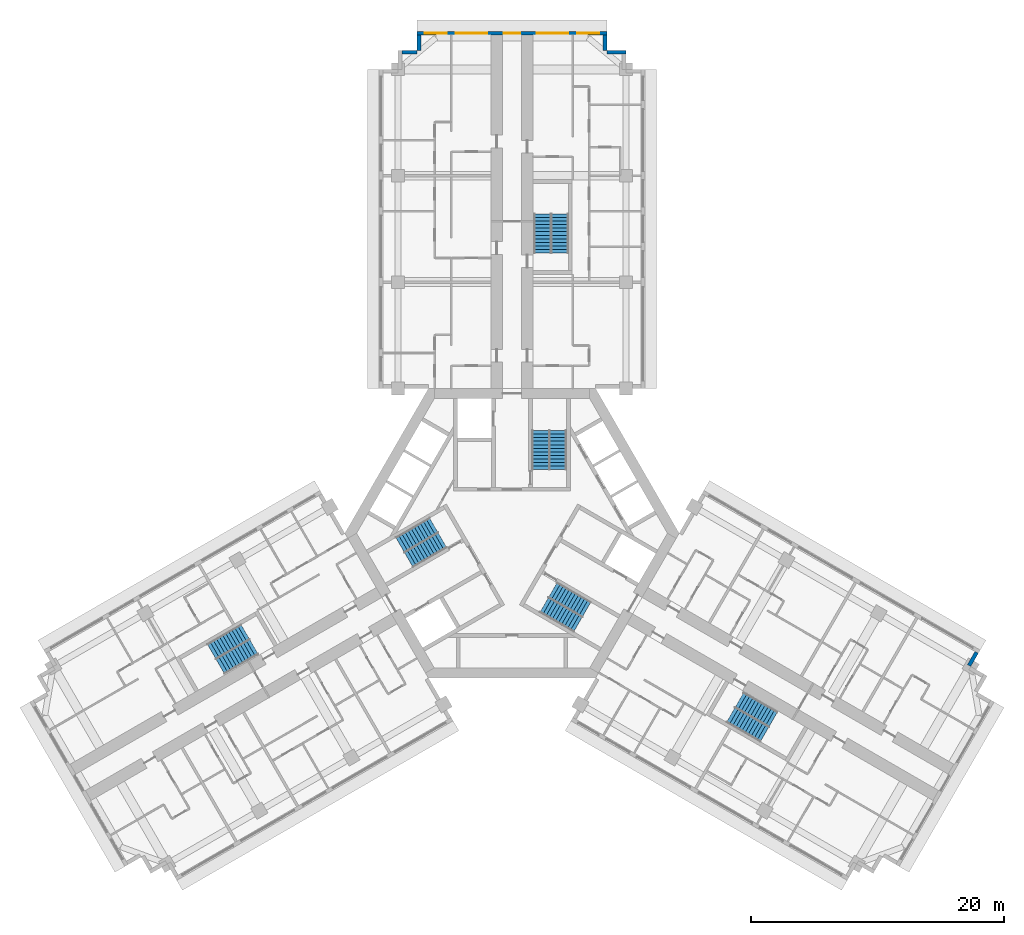
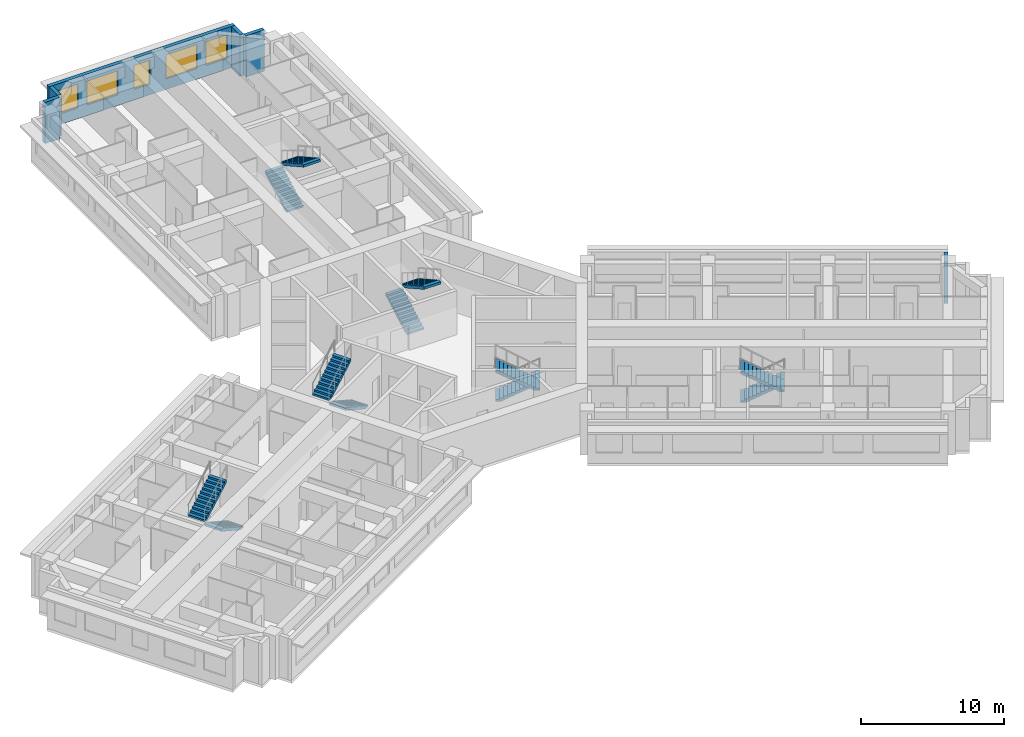
# One storey, part 11 of 12: 12 stair flights, 6 walls, 5 windows, 5 openings, 6 elements without a shape of their own.
"""IFC4 building model written with IfcOpenShell, lengths in metres."""

from ifc_helpers import new_model, si_unit, direction, frame, frame_2d, origin, place, context, subcontext, project, spatial, polyline, rectangle, outline, extrude, material, layer, layer_set, type_object, element, fill, aggregate, save


model = new_model("IFC4")

# Units and contexts
model_context = context("Model", 3, precision=1e-05, world=origin(), true_north=direction((0.0, 1.0)))
body_context = subcontext(model_context, "Body", "Model", "MODEL_VIEW")
ifc_project = project(units=[si_unit("LENGTHUNIT", "METRE"), si_unit("AREAUNIT", "SQUARE_METRE"), si_unit("VOLUMEUNIT", "CUBIC_METRE"), si_unit("PLANEANGLEUNIT", "RADIAN"), si_unit("MASSUNIT", "GRAM", prefix="KILO")], contexts=[model_context])

# Site, building, storey
site_placement = place(None, origin())
site = spatial("IfcSite", under=ifc_project, at=site_placement, CompositionType="ELEMENT")
building_placement = place(site_placement, origin())
building = spatial("IfcBuilding", under=site, at=building_placement, Name="Impinga Residences", CompositionType="ELEMENT")
storey_placement = place(building_placement, frame((0.0, 0.0, 166.0)))
storey = spatial("IfcBuildingStorey", under=building, at=storey_placement, Name="L41", CompositionType="ELEMENT", Elevation=166.0)

# Walls
ifc_material_1 = material(Name="Terracotta rainscreen on blockwork", Category="masonry")
ifc_layer = layer(ifc_material_1, 0.300048828125)
ifc_layer_set = layer_set([ifc_layer], Name="EW1 external wall, terracotta rainscreen on blockwork 300")
wall_type = type_object("IfcWallType", Name="EW1 external wall, terracotta rainscreen on blockwork 300", PredefinedType="SOLIDWALL", material=ifc_layer_set)
wall_1_placement = place(storey_placement, frame((-8.699951171875, 37.9814453125, 0.0), z_axis=(0.0, 0.0, 1.0), x_axis=(1.0, 0.0, 0.0)))
element("IfcWall", 1, at=wall_1_placement, inside=storey, type_object=wall_type, Name="External wall EW1 L41", PredefinedType="SOLIDWALL", context=body_context, shape_type="SweptSolid", body=[
    extrude(rectangle(XDim=1.199951171875, YDim=0.300048828125, at=frame_2d((0.60009765625, 0.0))), origin(), (0.0, 0.0, 1.0), 3.530029296875),
])
wall_2_placement = place(storey_placement, frame((-7.35009765625, 38.136474609375, 0.0), z_axis=(0.0, 0.0, 1.0), x_axis=(0.0, 1.0, 0.0)))
element("IfcWall", 2, at=wall_2_placement, inside=storey, type_object=wall_type, Name="External wall EW1 L41", PredefinedType="SOLIDWALL", context=body_context, shape_type="SweptSolid", body=[
    extrude(rectangle(XDim=1.195068359375, YDim=0.300048828125, at=frame_2d((0.59765625, 0.0))), origin(), (0.0, 0.0, 1.0), 3.530029296875),
])

# Wall, openings, windows
wall_3_placement = place(storey_placement, frame((-7.5, 39.4814453125, 0.0), z_axis=(0.0, 0.0, 1.0), x_axis=(1.0, 0.0, 0.0)))
wall_3 = element("IfcWall", 3, at=wall_3_placement, inside=storey, type_object=wall_type, Name="External wall EW1 L41", PredefinedType="SOLIDWALL", context=body_context, shape_type="SweptSolid", body=[
    extrude(rectangle(XDim=15.0, YDim=0.300048828125, at=frame_2d((7.5, 0.0))), origin(), (0.0, 0.0, 1.0), 3.530029296875),
])
opening_1_placement = place(wall_3_placement, frame((0.60009765625, 0.0, 0.89990234375)))
opening_1 = element("IfcOpeningElement", 4, at=opening_1_placement, cuts=wall_3, Name="Opening W1", PredefinedType="OPENING", context=body_context, shape_type="SweptSolid", body=[
    extrude(rectangle(XDim=1.75, YDim=2.050048828125, at=frame_2d((0.875, 1.02490234375))), frame((0.0, 0.159912109375, 0.0), z_axis=(0.0, -1.0, 0.0), x_axis=(1.0, 0.0, 0.0)), (0.0, 0.0, 1.0), 0.320068359375),
])
opening_2_placement = place(wall_3_placement, frame((3.050048828125, 0.0, 0.89990234375)))
opening_2 = element("IfcOpeningElement", 5, at=opening_2_placement, cuts=wall_3, Name="Opening W2", PredefinedType="OPENING", context=body_context, shape_type="SweptSolid", body=[
    extrude(rectangle(XDim=2.5, YDim=2.050048828125, at=frame_2d((1.25, 1.02490234375))), frame((0.0, 0.159912109375, 0.0), z_axis=(0.0, -1.0, 0.0), x_axis=(1.0, 0.0, 0.0)), (0.0, 0.0, 1.0), 0.320068359375),
])
opening_3_placement = place(wall_3_placement, frame((6.85009765625, 0.0, 0.89990234375)))
opening_3 = element("IfcOpeningElement", 6, at=opening_3_placement, cuts=wall_3, Name="Opening W17", PredefinedType="OPENING", context=body_context, shape_type="SweptSolid", body=[
    extrude(rectangle(XDim=1.300048828125, YDim=2.050048828125, at=frame_2d((0.64990234375, 1.02490234375))), frame((0.0, 0.159912109375, 0.0), z_axis=(0.0, -1.0, 0.0), x_axis=(1.0, 0.0, 0.0)), (0.0, 0.0, 1.0), 0.320068359375),
])
opening_4_placement = place(wall_3_placement, frame((9.449951171875, 0.0, 0.89990234375)))
opening_4 = element("IfcOpeningElement", 7, at=opening_4_placement, cuts=wall_3, Name="Opening W2", PredefinedType="OPENING", context=body_context, shape_type="SweptSolid", body=[
    extrude(rectangle(XDim=2.5, YDim=2.050048828125, at=frame_2d((1.25, 1.02490234375))), frame((0.0, 0.159912109375, 0.0), z_axis=(0.0, -1.0, 0.0), x_axis=(1.0, 0.0, 0.0)), (0.0, 0.0, 1.0), 0.320068359375),
])
opening_5_placement = place(wall_3_placement, frame((12.64990234375, 0.0, 0.89990234375)))
opening_5 = element("IfcOpeningElement", 8, at=opening_5_placement, cuts=wall_3, Name="Opening W1", PredefinedType="OPENING", context=body_context, shape_type="SweptSolid", body=[
    extrude(rectangle(XDim=1.75, YDim=2.050048828125, at=frame_2d((0.875, 1.02490234375))), frame((0.0, 0.159912109375, 0.0), z_axis=(0.0, -1.0, 0.0), x_axis=(1.0, 0.0, 0.0)), (0.0, 0.0, 1.0), 0.320068359375),
])
ifc_material_2 = material(Name="Aluminium window, clear double glazing", Category="aluminium")
window_type_1 = type_object("IfcWindowType", Name="W1 ribbon window 1750x2050", PartitioningType="SINGLE_PANEL", PredefinedType="WINDOW", material=ifc_material_2)
window_1_placement = place(opening_1_placement, origin())
window_1 = element("IfcWindow", 9, at=window_1_placement, inside=storey, type_object=window_type_1, Name="Window L41", OverallHeight=2.050048828125, OverallWidth=1.75, PartitioningType="SINGLE_PANEL", PredefinedType="WINDOW", context=body_context, shape_type="SweptSolid", body=[
    extrude(rectangle(XDim=1.75, YDim=2.050048828125, at=frame_2d((0.875, 1.02490234375))), frame((0.0, 0.030029296875, 0.0), z_axis=(0.0, -1.0, 0.0), x_axis=(1.0, 0.0, 0.0)), (0.0, 0.0, 1.0), 0.06005859375),
])
fill(opening_1, window_1)
window_2_placement = place(opening_5_placement, origin())
window_2 = element("IfcWindow", 10, at=window_2_placement, inside=storey, type_object=window_type_1, Name="Window L41", OverallHeight=2.050048828125, OverallWidth=1.75, PartitioningType="SINGLE_PANEL", PredefinedType="WINDOW", context=body_context, shape_type="SweptSolid", body=[
    extrude(rectangle(XDim=1.75, YDim=2.050048828125, at=frame_2d((0.875, 1.02490234375))), frame((0.0, 0.030029296875, 0.0), z_axis=(0.0, -1.0, 0.0), x_axis=(1.0, 0.0, 0.0)), (0.0, 0.0, 1.0), 0.06005859375),
])
fill(opening_5, window_2)
window_type_2 = type_object("IfcWindowType", Name="W17 ribbon window 1300x2050", PartitioningType="SINGLE_PANEL", PredefinedType="WINDOW", material=ifc_material_2)
window_3_placement = place(opening_3_placement, origin())
window_3 = element("IfcWindow", 11, at=window_3_placement, inside=storey, type_object=window_type_2, Name="Window L41", OverallHeight=2.050048828125, OverallWidth=1.300048828125, PartitioningType="SINGLE_PANEL", PredefinedType="WINDOW", context=body_context, shape_type="SweptSolid", body=[
    extrude(rectangle(XDim=1.300048828125, YDim=2.050048828125, at=frame_2d((0.64990234375, 1.02490234375))), frame((0.0, 0.030029296875, 0.0), z_axis=(0.0, -1.0, 0.0), x_axis=(1.0, 0.0, 0.0)), (0.0, 0.0, 1.0), 0.06005859375),
])
fill(opening_3, window_3)
window_type_3 = type_object("IfcWindowType", Name="W2 ribbon window 2500x2050", PartitioningType="SINGLE_PANEL", PredefinedType="WINDOW", material=ifc_material_2)
window_4_placement = place(opening_2_placement, origin())
window_4 = element("IfcWindow", 12, at=window_4_placement, inside=storey, type_object=window_type_3, Name="Window L41", OverallHeight=2.050048828125, OverallWidth=2.5, PartitioningType="SINGLE_PANEL", PredefinedType="WINDOW", context=body_context, shape_type="SweptSolid", body=[
    extrude(rectangle(XDim=2.5, YDim=2.050048828125, at=frame_2d((1.25, 1.02490234375))), frame((0.0, 0.030029296875, 0.0), z_axis=(0.0, -1.0, 0.0), x_axis=(1.0, 0.0, 0.0)), (0.0, 0.0, 1.0), 0.06005859375),
])
fill(opening_2, window_4)
window_5_placement = place(opening_4_placement, origin())
window_5 = element("IfcWindow", 13, at=window_5_placement, inside=storey, type_object=window_type_3, Name="Window L41", OverallHeight=2.050048828125, OverallWidth=2.5, PartitioningType="SINGLE_PANEL", PredefinedType="WINDOW", context=body_context, shape_type="SweptSolid", body=[
    extrude(rectangle(XDim=2.5, YDim=2.050048828125, at=frame_2d((1.25, 1.02490234375))), frame((0.0, 0.030029296875, 0.0), z_axis=(0.0, -1.0, 0.0), x_axis=(1.0, 0.0, 0.0)), (0.0, 0.0, 1.0), 0.06005859375),
])
fill(opening_4, window_5)

# Walls
wall_4_placement = place(storey_placement, frame((7.35009765625, 39.33154296875, 0.0), z_axis=(0.0, 0.0, 1.0), x_axis=(0.0, -1.0, 0.0)))
element("IfcWall", 14, at=wall_4_placement, inside=storey, type_object=wall_type, Name="External wall EW1 L41", PredefinedType="SOLIDWALL", context=body_context, shape_type="SweptSolid", body=[
    extrude(rectangle(XDim=1.195068359375, YDim=0.300048828125, at=frame_2d((0.59765625, 0.0))), origin(), (0.0, 0.0, 1.0), 3.530029296875),
])
wall_5_placement = place(storey_placement, frame((7.5, 37.9814453125, 0.0), z_axis=(0.0, 0.0, 1.0), x_axis=(1.0, 0.0, 0.0)))
element("IfcWall", 15, at=wall_5_placement, inside=storey, type_object=wall_type, Name="External wall EW1 L41", PredefinedType="SOLIDWALL", context=body_context, shape_type="SweptSolid", body=[
    extrude(rectangle(XDim=1.5, YDim=0.300048828125, at=frame_2d((0.75, 0.0))), origin(), (0.0, 0.0, 1.0), 3.530029296875),
])
wall_6_placement = place(storey_placement, frame((36.69384765625, -9.4072265625, 0.0), z_axis=(0.0, 0.0, 1.0), x_axis=(-0.499880961361, -0.866094119867, 0.0)))
element("IfcWall", 16, at=wall_6_placement, inside=storey, type_object=wall_type, Name="External wall EW1 L41", PredefinedType="SOLIDWALL", context=body_context, shape_type="SweptSolid", body=[
    extrude(rectangle(XDim=1.199951171875, YDim=0.300048828125, at=frame_2d((0.60009765625, 0.0))), origin(), (0.0, 0.0, 1.0), 3.530029296875),
])

# Stair, stair flights
ifc_material_3 = material(Name="Concrete C40/50", Category="concrete")
stair_type_1 = type_object("IfcStairType", Name="STR core stair 3750 storey, 24 risers", PredefinedType="HALF_TURN_STAIR", material=ifc_material_3)
stair_1_placement = place(storey_placement, origin())
stair_1 = element("IfcStair", 17, at=stair_1_placement, inside=storey, type_object=stair_type_1, Name="Stair ST1 L41", PredefinedType="HALF_TURN_STAIR")
stair_flight_type = type_object("IfcStairFlightType", Name="SF 12 risers of 156", PredefinedType="STRAIGHT", material=ifc_material_3)
stair_flight_1_placement = place(storey_placement, frame((2.27490234375, 5.030029296875, 0.0), z_axis=(0.0, 0.0, 1.0), x_axis=(0.0, 1.0, 0.0)))
stair_flight_1 = element("IfcStairFlight", 18, at=stair_flight_1_placement, type_object=stair_flight_type, Name="ST1 flight 1", NumberOfRisers=12, NumberOfTreads=11, PredefinedType="STRAIGHT", RiserHeight=0.15625, TreadLength=0.28, context=body_context, shape_type="SweptSolid", body=[
    extrude(outline(polyline([(0.0, 0.0), (0.0, 0.15625), (0.280029296875, 0.15625), (0.280029296875, 0.3125), (0.56005859375, 0.3125), (0.56005859375, 0.46875), (0.840087890625, 0.46875), (0.840087890625, 0.625), (1.1201171875, 0.625), (1.1201171875, 0.78125), (1.39990234375, 0.78125), (1.39990234375, 0.9375), (1.679931640625, 0.9375), (1.679931640625, 1.09375), (1.9599609375, 1.09375), (1.9599609375, 1.25), (2.239990234375, 1.25), (2.239990234375, 1.40625), (2.52001953125, 1.40625), (2.52001953125, 1.5625), (2.800048828125, 1.5625), (2.800048828125, 1.71875), (3.080078125, 1.71875), (3.080078125, 1.875), (3.080078125, 1.5126953125), (0.369140625, 0.0), (0.0, 0.0)])), frame((0.0, 0.675048828125, 0.0), z_axis=(0.0, -1.0, 0.0), x_axis=(1.0, 0.0, 0.0)), (0.0, 0.0, 1.0), 1.35009765625),
])
stair_flight_2_placement = place(storey_placement, frame((3.625, 8.110107421875, 1.875), z_axis=(0.0, 0.0, 1.0), x_axis=(0.0, -1.0, 0.0)))
stair_flight_2 = element("IfcStairFlight", 19, at=stair_flight_2_placement, type_object=stair_flight_type, Name="ST1 flight 2", NumberOfRisers=12, NumberOfTreads=11, PredefinedType="STRAIGHT", RiserHeight=0.15625, TreadLength=0.28, context=body_context, shape_type="SweptSolid", body=[
    extrude(outline(polyline([(0.0, 0.0), (0.0, 0.15625), (0.280029296875, 0.15625), (0.280029296875, 0.3125), (0.56005859375, 0.3125), (0.56005859375, 0.46875), (0.840087890625, 0.46875), (0.840087890625, 0.625), (1.1201171875, 0.625), (1.1201171875, 0.78125), (1.39990234375, 0.78125), (1.39990234375, 0.9375), (1.679931640625, 0.9375), (1.679931640625, 1.09375), (1.9599609375, 1.09375), (1.9599609375, 1.25), (2.239990234375, 1.25), (2.239990234375, 1.40625), (2.52001953125, 1.40625), (2.52001953125, 1.5625), (2.800048828125, 1.5625), (2.800048828125, 1.71875), (3.080078125, 1.71875), (3.080078125, 1.875), (3.080078125, 1.5126953125), (0.369140625, 0.0), (0.0, 0.0)])), frame((0.0, 0.675048828125, 0.0), z_axis=(0.0, -1.0, 0.0), x_axis=(1.0, 0.0, 0.0)), (0.0, 0.0, 1.0), 1.35009765625),
])
aggregate(stair_1, [stair_flight_1, stair_flight_2])

stair_2_placement = place(storey_placement, origin())
stair_2 = element("IfcStair", 20, at=stair_2_placement, inside=storey, type_object=stair_type_1, Name="Stair ST2 L41", PredefinedType="HALF_TURN_STAIR")
stair_flight_3_placement = place(storey_placement, frame((-5.49365234375, -0.544677734375, 0.0), z_axis=(0.0, 0.0, 1.0), x_axis=(-0.866025403784, -0.5, 0.0)))
stair_flight_3 = element("IfcStairFlight", 21, at=stair_flight_3_placement, type_object=stair_flight_type, Name="ST2 flight 1", NumberOfRisers=12, NumberOfTreads=11, PredefinedType="STRAIGHT", RiserHeight=0.15625, TreadLength=0.28, context=body_context, shape_type="SweptSolid", body=[
    extrude(outline(polyline([(0.0, 0.0), (0.0, 0.15625), (0.280029296875, 0.15625), (0.280029296875, 0.3125), (0.56005859375, 0.3125), (0.56005859375, 0.46875), (0.840087890625, 0.46875), (0.840087890625, 0.625), (1.1201171875, 0.625), (1.1201171875, 0.78125), (1.39990234375, 0.78125), (1.39990234375, 0.9375), (1.679931640625, 0.9375), (1.679931640625, 1.09375), (1.9599609375, 1.09375), (1.9599609375, 1.25), (2.239990234375, 1.25), (2.239990234375, 1.40625), (2.52001953125, 1.40625), (2.52001953125, 1.5625), (2.800048828125, 1.5625), (2.800048828125, 1.71875), (3.080078125, 1.71875), (3.080078125, 1.875), (3.080078125, 1.5126953125), (0.369140625, 0.0), (0.0, 0.0)])), frame((0.0, 0.675048828125, 0.0), z_axis=(0.0, -1.0, 0.0), x_axis=(1.0, 0.0, 0.0)), (0.0, 0.0, 1.0), 1.35009765625),
])
stair_flight_4_placement = place(storey_placement, frame((-8.8359375, -0.915771484375, 1.875), z_axis=(0.0, 0.0, 1.0), x_axis=(0.866025403784, 0.5, 0.0)))
stair_flight_4 = element("IfcStairFlight", 22, at=stair_flight_4_placement, type_object=stair_flight_type, Name="ST2 flight 2", NumberOfRisers=12, NumberOfTreads=11, PredefinedType="STRAIGHT", RiserHeight=0.15625, TreadLength=0.28, context=body_context, shape_type="SweptSolid", body=[
    extrude(outline(polyline([(0.0, 0.0), (0.0, 0.15625), (0.280029296875, 0.15625), (0.280029296875, 0.3125), (0.56005859375, 0.3125), (0.56005859375, 0.46875), (0.840087890625, 0.46875), (0.840087890625, 0.625), (1.1201171875, 0.625), (1.1201171875, 0.78125), (1.39990234375, 0.78125), (1.39990234375, 0.9375), (1.679931640625, 0.9375), (1.679931640625, 1.09375), (1.9599609375, 1.09375), (1.9599609375, 1.25), (2.239990234375, 1.25), (2.239990234375, 1.40625), (2.52001953125, 1.40625), (2.52001953125, 1.5625), (2.800048828125, 1.5625), (2.800048828125, 1.71875), (3.080078125, 1.71875), (3.080078125, 1.875), (3.080078125, 1.5126953125), (0.369140625, 0.0), (0.0, 0.0)])), frame((0.0, 0.675048828125, 0.0), z_axis=(0.0, -1.0, 0.0), x_axis=(1.0, 0.0, 0.0)), (0.0, 0.0, 1.0), 1.35009765625),
])
aggregate(stair_2, [stair_flight_3, stair_flight_4])

stair_3_placement = place(storey_placement, origin())
stair_3 = element("IfcStair", 23, at=stair_3_placement, inside=storey, type_object=stair_type_1, Name="Stair ST3 L41", PredefinedType="HALF_TURN_STAIR")
stair_flight_5_placement = place(storey_placement, frame((3.218505859375, -4.485107421875, 0.0), z_axis=(0.0, 0.0, 1.0), x_axis=(0.866025403784, -0.5, 0.0)))
stair_flight_5 = element("IfcStairFlight", 24, at=stair_flight_5_placement, type_object=stair_flight_type, Name="ST3 flight 1", NumberOfRisers=12, NumberOfTreads=11, PredefinedType="STRAIGHT", RiserHeight=0.15625, TreadLength=0.28, context=body_context, shape_type="SweptSolid", body=[
    extrude(outline(polyline([(0.0, 0.0), (0.0, 0.15625), (0.280029296875, 0.15625), (0.280029296875, 0.3125), (0.56005859375, 0.3125), (0.56005859375, 0.46875), (0.840087890625, 0.46875), (0.840087890625, 0.625), (1.1201171875, 0.625), (1.1201171875, 0.78125), (1.39990234375, 0.78125), (1.39990234375, 0.9375), (1.679931640625, 0.9375), (1.679931640625, 1.09375), (1.9599609375, 1.09375), (1.9599609375, 1.25), (2.239990234375, 1.25), (2.239990234375, 1.40625), (2.52001953125, 1.40625), (2.52001953125, 1.5625), (2.800048828125, 1.5625), (2.800048828125, 1.71875), (3.080078125, 1.71875), (3.080078125, 1.875), (3.080078125, 1.5126953125), (0.369140625, 0.0), (0.0, 0.0)])), frame((0.0, 0.675048828125, 0.0), z_axis=(0.0, -1.0, 0.0), x_axis=(1.0, 0.0, 0.0)), (0.0, 0.0, 1.0), 1.35009765625),
])
stair_flight_6_placement = place(storey_placement, frame((5.2109375, -7.1943359375, 1.875), z_axis=(0.0, 0.0, 1.0), x_axis=(-0.866025403784, 0.5, 0.0)))
stair_flight_6 = element("IfcStairFlight", 25, at=stair_flight_6_placement, type_object=stair_flight_type, Name="ST3 flight 2", NumberOfRisers=12, NumberOfTreads=11, PredefinedType="STRAIGHT", RiserHeight=0.15625, TreadLength=0.28, context=body_context, shape_type="SweptSolid", body=[
    extrude(outline(polyline([(0.0, 0.0), (0.0, 0.15625), (0.280029296875, 0.15625), (0.280029296875, 0.3125), (0.56005859375, 0.3125), (0.56005859375, 0.46875), (0.840087890625, 0.46875), (0.840087890625, 0.625), (1.1201171875, 0.625), (1.1201171875, 0.78125), (1.39990234375, 0.78125), (1.39990234375, 0.9375), (1.679931640625, 0.9375), (1.679931640625, 1.09375), (1.9599609375, 1.09375), (1.9599609375, 1.25), (2.239990234375, 1.25), (2.239990234375, 1.40625), (2.52001953125, 1.40625), (2.52001953125, 1.5625), (2.800048828125, 1.5625), (2.800048828125, 1.71875), (3.080078125, 1.71875), (3.080078125, 1.875), (3.080078125, 1.5126953125), (0.369140625, 0.0), (0.0, 0.0)])), frame((0.0, 0.675048828125, 0.0), z_axis=(0.0, -1.0, 0.0), x_axis=(1.0, 0.0, 0.0)), (0.0, 0.0, 1.0), 1.35009765625),
])
aggregate(stair_3, [stair_flight_5, stair_flight_6])

stair_type_2 = type_object("IfcStairType", Name="STR wing stair 3750 storey, 24 risers", PredefinedType="HALF_TURN_STAIR", material=ifc_material_3)
stair_4_placement = place(storey_placement, origin())
stair_4 = element("IfcStair", 26, at=stair_4_placement, inside=storey, type_object=stair_type_2, Name="Stair WS1 L41", PredefinedType="HALF_TURN_STAIR")
stair_flight_7_placement = place(storey_placement, frame((2.425048828125, 22.131591796875, 0.0), z_axis=(0.0, 0.0, 1.0), x_axis=(0.0, 1.0, 0.0)))
stair_flight_7 = element("IfcStairFlight", 27, at=stair_flight_7_placement, type_object=stair_flight_type, Name="WS1 flight 1", NumberOfRisers=12, NumberOfTreads=11, PredefinedType="STRAIGHT", RiserHeight=0.15625, TreadLength=0.28, context=body_context, shape_type="SweptSolid", body=[
    extrude(outline(polyline([(0.0, 0.0), (0.0, 0.15625), (0.280029296875, 0.15625), (0.280029296875, 0.3125), (0.56005859375, 0.3125), (0.56005859375, 0.46875), (0.840087890625, 0.46875), (0.840087890625, 0.625), (1.1201171875, 0.625), (1.1201171875, 0.78125), (1.39990234375, 0.78125), (1.39990234375, 0.9375), (1.679931640625, 0.9375), (1.679931640625, 1.09375), (1.9599609375, 1.09375), (1.9599609375, 1.25), (2.239990234375, 1.25), (2.239990234375, 1.40625), (2.52001953125, 1.40625), (2.52001953125, 1.5625), (2.800048828125, 1.5625), (2.800048828125, 1.71875), (3.080078125, 1.71875), (3.080078125, 1.875), (3.080078125, 1.5126953125), (0.369140625, 0.0), (0.0, 0.0)])), frame((0.0, 0.675048828125, 0.0), z_axis=(0.0, -1.0, 0.0), x_axis=(1.0, 0.0, 0.0)), (0.0, 0.0, 1.0), 1.35009765625),
])
stair_flight_8_placement = place(storey_placement, frame((3.77490234375, 25.21142578125, 1.875), z_axis=(0.0, 0.0, 1.0), x_axis=(0.0, -1.0, 0.0)))
stair_flight_8 = element("IfcStairFlight", 28, at=stair_flight_8_placement, type_object=stair_flight_type, Name="WS1 flight 2", NumberOfRisers=12, NumberOfTreads=11, PredefinedType="STRAIGHT", RiserHeight=0.15625, TreadLength=0.28, context=body_context, shape_type="SweptSolid", body=[
    extrude(outline(polyline([(0.0, 0.0), (0.0, 0.15625), (0.280029296875, 0.15625), (0.280029296875, 0.3125), (0.56005859375, 0.3125), (0.56005859375, 0.46875), (0.840087890625, 0.46875), (0.840087890625, 0.625), (1.1201171875, 0.625), (1.1201171875, 0.78125), (1.39990234375, 0.78125), (1.39990234375, 0.9375), (1.679931640625, 0.9375), (1.679931640625, 1.09375), (1.9599609375, 1.09375), (1.9599609375, 1.25), (2.239990234375, 1.25), (2.239990234375, 1.40625), (2.52001953125, 1.40625), (2.52001953125, 1.5625), (2.800048828125, 1.5625), (2.800048828125, 1.71875), (3.080078125, 1.71875), (3.080078125, 1.875), (3.080078125, 1.5126953125), (0.369140625, 0.0), (0.0, 0.0)])), frame((0.0, 0.675048828125, 0.0), z_axis=(0.0, -1.0, 0.0), x_axis=(1.0, 0.0, 0.0)), (0.0, 0.0, 1.0), 1.35009765625),
])
aggregate(stair_4, [stair_flight_7, stair_flight_8])

stair_5_placement = place(storey_placement, origin())
stair_5 = element("IfcStair", 29, at=stair_5_placement, inside=storey, type_object=stair_type_2, Name="Stair WS2 L41", PredefinedType="HALF_TURN_STAIR")
stair_flight_9_placement = place(storey_placement, frame((-20.37890625, -8.965576171875, 0.0), z_axis=(0.0, 0.0, 1.0), x_axis=(-0.866025403784, -0.5, 0.0)))
stair_flight_9 = element("IfcStairFlight", 30, at=stair_flight_9_placement, type_object=stair_flight_type, Name="WS2 flight 1", NumberOfRisers=12, NumberOfTreads=11, PredefinedType="STRAIGHT", RiserHeight=0.15625, TreadLength=0.28, context=body_context, shape_type="SweptSolid", body=[
    extrude(outline(polyline([(0.0, 0.0), (0.0, 0.15625), (0.280029296875, 0.15625), (0.280029296875, 0.3125), (0.56005859375, 0.3125), (0.56005859375, 0.46875), (0.840087890625, 0.46875), (0.840087890625, 0.625), (1.1201171875, 0.625), (1.1201171875, 0.78125), (1.39990234375, 0.78125), (1.39990234375, 0.9375), (1.679931640625, 0.9375), (1.679931640625, 1.09375), (1.9599609375, 1.09375), (1.9599609375, 1.25), (2.239990234375, 1.25), (2.239990234375, 1.40625), (2.52001953125, 1.40625), (2.52001953125, 1.5625), (2.800048828125, 1.5625), (2.800048828125, 1.71875), (3.080078125, 1.71875), (3.080078125, 1.875), (3.080078125, 1.5126953125), (0.369140625, 0.0), (0.0, 0.0)])), frame((0.0, 0.675048828125, 0.0), z_axis=(0.0, -1.0, 0.0), x_axis=(1.0, 0.0, 0.0)), (0.0, 0.0, 1.0), 1.35009765625),
])
stair_flight_10_placement = place(storey_placement, frame((-23.721435546875, -9.33642578125, 1.875), z_axis=(0.0, 0.0, 1.0), x_axis=(0.866025403784, 0.5, 0.0)))
stair_flight_10 = element("IfcStairFlight", 31, at=stair_flight_10_placement, type_object=stair_flight_type, Name="WS2 flight 2", NumberOfRisers=12, NumberOfTreads=11, PredefinedType="STRAIGHT", RiserHeight=0.15625, TreadLength=0.28, context=body_context, shape_type="SweptSolid", body=[
    extrude(outline(polyline([(0.0, 0.0), (0.0, 0.15625), (0.280029296875, 0.15625), (0.280029296875, 0.3125), (0.56005859375, 0.3125), (0.56005859375, 0.46875), (0.840087890625, 0.46875), (0.840087890625, 0.625), (1.1201171875, 0.625), (1.1201171875, 0.78125), (1.39990234375, 0.78125), (1.39990234375, 0.9375), (1.679931640625, 0.9375), (1.679931640625, 1.09375), (1.9599609375, 1.09375), (1.9599609375, 1.25), (2.239990234375, 1.25), (2.239990234375, 1.40625), (2.52001953125, 1.40625), (2.52001953125, 1.5625), (2.800048828125, 1.5625), (2.800048828125, 1.71875), (3.080078125, 1.71875), (3.080078125, 1.875), (3.080078125, 1.5126953125), (0.369140625, 0.0), (0.0, 0.0)])), frame((0.0, 0.675048828125, 0.0), z_axis=(0.0, -1.0, 0.0), x_axis=(1.0, 0.0, 0.0)), (0.0, 0.0, 1.0), 1.35009765625),
])
aggregate(stair_5, [stair_flight_9, stair_flight_10])

stair_6_placement = place(storey_placement, origin())
stair_6 = element("IfcStair", 32, at=stair_6_placement, inside=storey, type_object=stair_type_2, Name="Stair WS3 L41", PredefinedType="HALF_TURN_STAIR")
stair_flight_11_placement = place(storey_placement, frame((17.953857421875, -13.165771484375, 0.0), z_axis=(0.0, 0.0, 1.0), x_axis=(0.866025403784, -0.5, 0.0)))
stair_flight_11 = element("IfcStairFlight", 33, at=stair_flight_11_placement, type_object=stair_flight_type, Name="WS3 flight 1", NumberOfRisers=12, NumberOfTreads=11, PredefinedType="STRAIGHT", RiserHeight=0.15625, TreadLength=0.28, context=body_context, shape_type="SweptSolid", body=[
    extrude(outline(polyline([(0.0, 0.0), (0.0, 0.15625), (0.280029296875, 0.15625), (0.280029296875, 0.3125), (0.56005859375, 0.3125), (0.56005859375, 0.46875), (0.840087890625, 0.46875), (0.840087890625, 0.625), (1.1201171875, 0.625), (1.1201171875, 0.78125), (1.39990234375, 0.78125), (1.39990234375, 0.9375), (1.679931640625, 0.9375), (1.679931640625, 1.09375), (1.9599609375, 1.09375), (1.9599609375, 1.25), (2.239990234375, 1.25), (2.239990234375, 1.40625), (2.52001953125, 1.40625), (2.52001953125, 1.5625), (2.800048828125, 1.5625), (2.800048828125, 1.71875), (3.080078125, 1.71875), (3.080078125, 1.875), (3.080078125, 1.5126953125), (0.369140625, 0.0), (0.0, 0.0)])), frame((0.0, 0.675048828125, 0.0), z_axis=(0.0, -1.0, 0.0), x_axis=(1.0, 0.0, 0.0)), (0.0, 0.0, 1.0), 1.35009765625),
])
stair_flight_12_placement = place(storey_placement, frame((19.9462890625, -15.875, 1.875), z_axis=(0.0, 0.0, 1.0), x_axis=(-0.866025403784, 0.5, 0.0)))
stair_flight_12 = element("IfcStairFlight", 34, at=stair_flight_12_placement, type_object=stair_flight_type, Name="WS3 flight 2", NumberOfRisers=12, NumberOfTreads=11, PredefinedType="STRAIGHT", RiserHeight=0.15625, TreadLength=0.28, context=body_context, shape_type="SweptSolid", body=[
    extrude(outline(polyline([(0.0, 0.0), (0.0, 0.15625), (0.280029296875, 0.15625), (0.280029296875, 0.3125), (0.56005859375, 0.3125), (0.56005859375, 0.46875), (0.840087890625, 0.46875), (0.840087890625, 0.625), (1.1201171875, 0.625), (1.1201171875, 0.78125), (1.39990234375, 0.78125), (1.39990234375, 0.9375), (1.679931640625, 0.9375), (1.679931640625, 1.09375), (1.9599609375, 1.09375), (1.9599609375, 1.25), (2.239990234375, 1.25), (2.239990234375, 1.40625), (2.52001953125, 1.40625), (2.52001953125, 1.5625), (2.800048828125, 1.5625), (2.800048828125, 1.71875), (3.080078125, 1.71875), (3.080078125, 1.875), (3.080078125, 1.5126953125), (0.369140625, 0.0), (0.0, 0.0)])), frame((0.0, 0.675048828125, 0.0), z_axis=(0.0, -1.0, 0.0), x_axis=(1.0, 0.0, 0.0)), (0.0, 0.0, 1.0), 1.35009765625),
])
aggregate(stair_6, [stair_flight_11, stair_flight_12])

save(model, "model.ifc")
